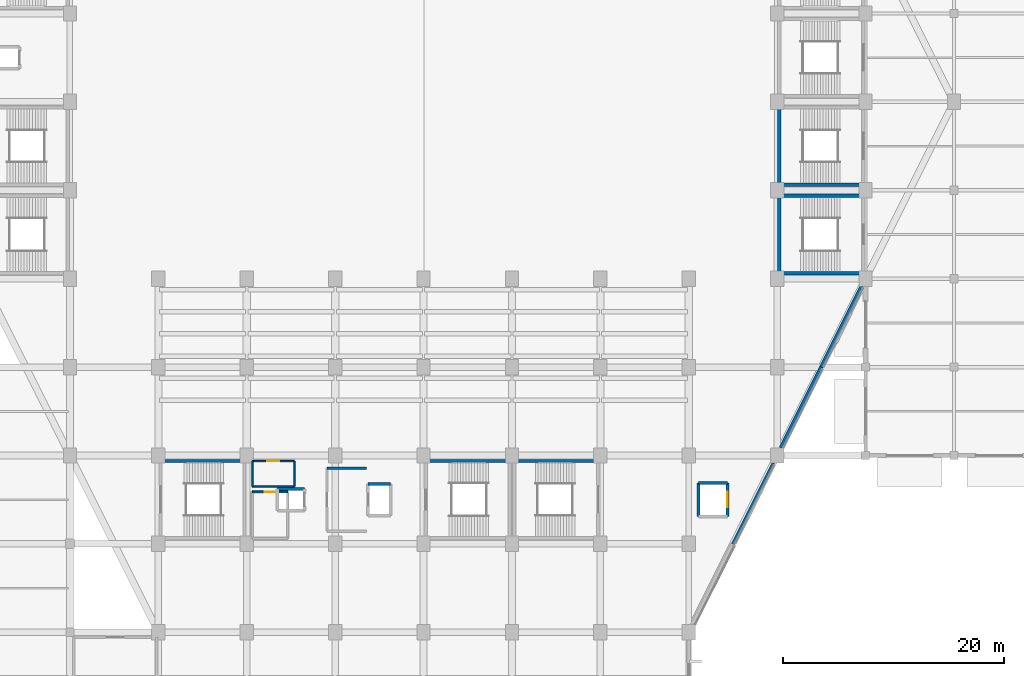
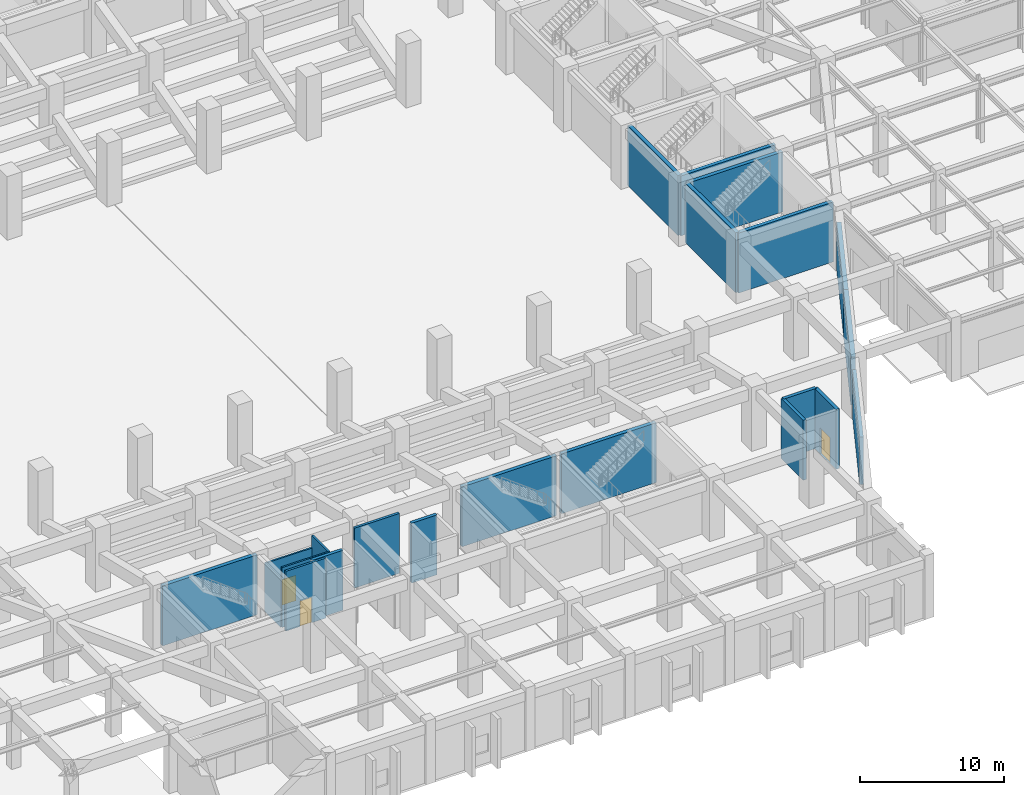
# One storey, part 25 of 39: 22 walls, 3 doors, 3 openings.
"""IFC4 building model written with IfcOpenShell, lengths in metres."""

import ifcopenshell
import ifcopenshell.guid

model = None  # the IFC model being written
_history = None  # IfcOwnerHistory: only IFC2X3 demands one
_inside = {}  # id of a spatial element -> (the spatial element, [elements in it])
_under = {}  # id of a project, library or spatial element -> (it, [spatial elements below it])
_declared = {}  # id of a project -> (the project, [libraries it declares])
_typed = {}  # id of a type object -> (the type object, [elements of that type])
_made_of = {}  # id of a material, layer set ... -> (it, [elements and type objects made of it])


def new_model(schema):
    """Start an empty IFC model of exactly this schema.

    Asked for "IFC4X3", IfcOpenShell would pick the latest addendum, in which some entities
    have other attributes; the version numbers below select the first issue.
    IFC2X3 requires an IfcOwnerHistory on every rooted entity: one is made here for all.
    """
    global model, _history
    if schema == "IFC4X3":
        model = ifcopenshell.file(schema_version=(4, 3, 0, 0))
    else:
        model = ifcopenshell.file(schema=schema)
    _inside.clear()
    _under.clear()
    _declared.clear()
    _typed.clear()
    _made_of.clear()
    _history = None
    if model.schema == "IFC2X3":
        org = make("IfcOrganization", Name="unknown")
        user = make(
            "IfcPersonAndOrganization",
            ThePerson=make("IfcPerson", FamilyName="unknown"),
            TheOrganization=org,
        )
        app = make(
            "IfcApplication",
            ApplicationDeveloper=org,
            Version="unknown",
            ApplicationFullName="unknown",
            ApplicationIdentifier="unknown",
        )
        _history = make(
            "IfcOwnerHistory",
            OwningUser=user,
            OwningApplication=app,
            ChangeAction="ADDED",
            CreationDate=0,
        )
    return model


def make(cls, **values):
    """One entity of the class cls with the attributes given. An attribute that is None is left unset."""
    return model.create_entity(
        cls, **{name: value for name, value in values.items() if value is not None}
    )


def rooted(cls, **values):
    """An entity with a GlobalId (a new one), such as an element, a storey or a relation."""
    return make(cls, GlobalId=ifcopenshell.guid.new(), OwnerHistory=_history, **values)


def si_unit(unit_type, name, prefix=None):
    """IfcSIUnit, for example si_unit("LENGTHUNIT", "METRE", prefix="MILLI")."""
    return make("IfcSIUnit", UnitType=unit_type, Prefix=prefix, Name=name)


def assignment(units):
    """IfcUnitAssignment: the units of a project."""
    return None if units is None else make("IfcUnitAssignment", Units=units)


def point(xyz):
    """IfcCartesianPoint."""
    return None if xyz is None else make("IfcCartesianPoint", Coordinates=xyz)


def direction(xyz):
    """IfcDirection."""
    return None if xyz is None else make("IfcDirection", DirectionRatios=xyz)


def frame(location, z_axis=None, x_axis=None):
    """IfcAxis2Placement3D, a coordinate frame: its origin and axes. An axis left out is left unset."""
    return make(
        "IfcAxis2Placement3D",
        Location=point(location),
        Axis=direction(z_axis),
        RefDirection=direction(x_axis),
    )


def frame_2d(location, x_axis=None):
    """IfcAxis2Placement2D, a coordinate frame in the plane: its origin and x axis."""
    return make(
        "IfcAxis2Placement2D", Location=point(location), RefDirection=direction(x_axis)
    )


def origin():
    """The frame at (0, 0, 0) with its axes left unset."""
    return frame((0.0, 0.0, 0.0))


def place(relative_to, where):
    """IfcLocalPlacement: puts the frame where relative to a parent placement (None: the world)."""
    return make(
        "IfcLocalPlacement", PlacementRelTo=relative_to, RelativePlacement=where
    )


def context(
    kind, dimensions, precision=None, world=None, true_north=None, identifier=None
):
    """IfcGeometricRepresentationContext, for example the 3D "Model" context."""
    return make(
        "IfcGeometricRepresentationContext",
        ContextIdentifier=identifier,
        ContextType=kind,
        CoordinateSpaceDimension=dimensions,
        Precision=precision,
        WorldCoordinateSystem=world,
        TrueNorth=true_north,
    )


def subcontext(parent, identifier, kind, view, scale=None):
    """IfcGeometricRepresentationSubContext, for example "Body" below "Model"."""
    return make(
        "IfcGeometricRepresentationSubContext",
        ContextIdentifier=identifier,
        ContextType=kind,
        ParentContext=parent,
        TargetScale=scale,
        TargetView=view,
    )


def project(units=None, contexts=None):
    """IfcProject with its units and contexts."""
    return rooted(
        "IfcProject",
        Name="project",
        RepresentationContexts=contexts,
        UnitsInContext=assignment(units),
    )


def spatial(cls, under=None, at=None, **own):
    """A site, building, storey or space (cls), placed at a placement, below another one or the project."""
    s = rooted(cls, ObjectPlacement=at, **own)
    if under is not None:
        _under.setdefault(under.id(), (under, []))[1].append(s)
    return s


def profile(cls, at=None, kind="AREA", **sizes):
    """A parametric profile (cls). Its sizes go by their IFC names, for example OverallWidth=200.0."""
    return make(cls, ProfileType=kind, Position=at, **sizes)


def rectangle(**sizes):
    """IfcRectangleProfileDef."""
    return profile("IfcRectangleProfileDef", **sizes)


def extrude(swept, where, along, depth):
    """IfcExtrudedAreaSolid: the profile swept, set in the frame where, extruded along a direction by depth."""
    return make(
        "IfcExtrudedAreaSolid",
        SweptArea=swept,
        Position=where,
        ExtrudedDirection=direction(along),
        Depth=depth,
    )


def shape(context_of_items, identifier, shape_type, items):
    """IfcShapeRepresentation: the items that make up one representation, for example the "Body"."""
    return make(
        "IfcShapeRepresentation",
        ContextOfItems=context_of_items,
        RepresentationIdentifier=identifier,
        RepresentationType=shape_type,
        Items=items,
    )


def material(Name=None, Category=None):
    """IfcMaterial."""
    return make("IfcMaterial", Name=Name, Category=Category)


def layer(
    of_material, thickness, ventilated=None, Name=None, Category=None, Priority=None
):
    """IfcMaterialLayer: one layer of a wall or slab, of a material (None: an air gap)."""
    return make(
        "IfcMaterialLayer",
        Material=of_material,
        LayerThickness=thickness,
        IsVentilated=ventilated,
        Name=Name,
        Category=Category,
        Priority=Priority,
    )


def layer_set(layers, Name=None):
    """IfcMaterialLayerSet."""
    return make("IfcMaterialLayerSet", MaterialLayers=layers, LayerSetName=Name)


def made_of(thing, what):
    """Note that an element or type object is made of a material, layer set ...; save() writes the relation."""
    if what is not None:
        _made_of.setdefault(what.id(), (what, []))[1].append(thing)
    return thing


def type_object(cls, material=None, **own):
    """A type object (cls), such as IfcWallType, which elements share."""
    return made_of(rooted(cls, **own), material)


def element(
    cls,
    number,
    at=None,
    inside=None,
    cuts=None,
    type_object=None,
    material=None,
    context=None,
    identifier="Body",
    shape_type=None,
    held_by="IfcProductDefinitionShape",
    body=None,
    shapes=None,
    **own,
):
    """One element of the class cls, such as IfcWall. Its Tag is "e" and its number.

    at: its placement. inside: the storey or other place that contains it. cuts: it is an
    opening in that element (IfcRelVoidsElement). A single representation is given by context,
    identifier, shape_type and body (its items); several are given by shapes. held_by: the class
    of the entity that holds the representations. save() writes the other relations.
    """
    e = rooted(cls, Tag="e%d" % number, ObjectPlacement=at, **own)
    if body is not None:
        shapes = [shape(context, identifier, shape_type, body)]
    if shapes is not None:
        e.Representation = make(held_by, Representations=shapes)
    if inside is not None:
        _inside.setdefault(inside.id(), (inside, []))[1].append(e)
    if cuts is not None:
        rooted(
            "IfcRelVoidsElement", RelatingBuildingElement=cuts, RelatedOpeningElement=e
        )
    if type_object is not None:
        _typed.setdefault(type_object.id(), (type_object, []))[1].append(e)
    return made_of(e, material)


def fill(opening, filler):
    """IfcRelFillsElement: the door or window that sits in an opening."""
    return rooted(
        "IfcRelFillsElement",
        RelatingOpeningElement=opening,
        RelatedBuildingElement=filler,
    )


def aggregate(whole, parts):
    """IfcRelAggregates: a whole, such as a stair, and the parts it consists of."""
    return rooted("IfcRelAggregates", RelatingObject=whole, RelatedObjects=parts)


def save(model, path):
    """Write the relations noted so far, then the file.

    IfcRelAggregates (storeys below a building ...), IfcRelContainedInSpatialStructure (elements
    in a storey), IfcRelDefinesByType, IfcRelAssociatesMaterial and IfcRelDeclares: one each for
    every whole, place, type object, material and project.
    """
    for whole, parts in _under.values():
        aggregate(whole, parts)
    for where, things in _inside.values():
        rooted(
            "IfcRelContainedInSpatialStructure",
            RelatedElements=things,
            RelatingStructure=where,
        )
    for kind, things in _typed.values():
        rooted("IfcRelDefinesByType", RelatedObjects=things, RelatingType=kind)
    for what, things in _made_of.values():
        rooted("IfcRelAssociatesMaterial", RelatedObjects=things, RelatingMaterial=what)
    for by, libraries in _declared.values():
        rooted("IfcRelDeclares", RelatingContext=by, RelatedDefinitions=libraries)
    model.write(path)


model = new_model("IFC4")

# Units and contexts
model_context = context("Model", 3, precision=1e-05, world=origin(), true_north=direction((0.0, 1.0)))
body_context = subcontext(model_context, "Body", "Model", "MODEL_VIEW")
ifc_project = project(units=[si_unit("LENGTHUNIT", "METRE"), si_unit("AREAUNIT", "SQUARE_METRE"), si_unit("VOLUMEUNIT", "CUBIC_METRE"), si_unit("PLANEANGLEUNIT", "RADIAN"), si_unit("MASSUNIT", "GRAM", prefix="KILO")], contexts=[model_context])

# Site, building, storey
site_placement = place(None, origin())
site = spatial("IfcSite", under=ifc_project, at=site_placement, CompositionType="ELEMENT")
building_placement = place(site_placement, origin())
building = spatial("IfcBuilding", under=site, at=building_placement, Name="Tazarka Park Arena", CompositionType="ELEMENT")
storey_placement = place(building_placement, origin())
storey = spatial("IfcBuildingStorey", under=building, at=storey_placement, Name="L00", CompositionType="ELEMENT", Elevation=0.0)

# Walls
ifc_material_1 = material(Name="Concrete C40/50", Category="concrete")
ifc_layer_1 = layer(ifc_material_1, 0.300048828125, Name="Concrete C40/50")
ifc_layer_set_1 = layer_set([ifc_layer_1], Name="Concrete C40/50")
wall_type_1 = type_object("IfcWallType", Name="IWAL-CW-S1", PredefinedType="SHEAR", material=ifc_layer_set_1)
for number, where, z_axis, x_axis, name in (
    (1, (64.199951171875, 31.5, 0.0), (0.0, 0.0, 1.0), (1.0, 0.0, 0.0), "SCW-L00-ST09-N"),
    (2, (96.199951171875, 31.5, 0.0), (0.0, 0.0, 1.0), (1.0, 0.0, 0.0), "SCW-L00-ST11-N"),
    (3, (127.800048828125, 56.5, 0.0), (0.0, 0.0, 1.0), (-1.0, 0.0, 0.0), "SCW-L00-ST12-S"),
):
    element("IfcWall", number, at=place(storey_placement, frame(where, z_axis=z_axis, x_axis=x_axis)), inside=storey, type_object=wall_type_1, Name=name, PredefinedType="SHEAR", context=body_context, shape_type="SweptSolid", body=[
        extrude(rectangle(XDim=7.60009765625, YDim=0.300048828125, at=frame_2d((3.800048828125, 0.0))), origin(), (0.0, 0.0, 1.0), 5.080078125),
    ])
wall_1_placement = place(storey_placement, frame((120.199951171875, 56.5, 0.0), z_axis=(0.0, 0.0, 1.0), x_axis=(0.0, 1.0, 0.0)))
element("IfcWall", 4, at=wall_1_placement, inside=storey, type_object=wall_type_1, Name="SCW-L00-ST12-W", PredefinedType="SHEAR", context=body_context, shape_type="SweptSolid", body=[
    extrude(rectangle(XDim=7.0, YDim=0.300048828125, at=frame_2d((3.5, 0.0))), origin(), (0.0, 0.0, 1.0), 5.080078125),
])
wall_2_placement = place(storey_placement, frame((127.800048828125, 48.5, 0.0), z_axis=(0.0, 0.0, 1.0), x_axis=(-1.0, 0.0, 0.0)))
element("IfcWall", 5, at=wall_2_placement, inside=storey, type_object=wall_type_1, Name="SCW-L00-ST21-S", PredefinedType="SHEAR", context=body_context, shape_type="SweptSolid", body=[
    extrude(rectangle(XDim=7.60009765625, YDim=0.300048828125, at=frame_2d((3.800048828125, 0.0))), origin(), (0.0, 0.0, 1.0), 5.080078125),
])
wall_3_placement = place(storey_placement, frame((120.199951171875, 48.5, 0.0), z_axis=(0.0, 0.0, 1.0), x_axis=(0.0, 1.0, 0.0)))
element("IfcWall", 6, at=wall_3_placement, inside=storey, type_object=wall_type_1, Name="SCW-L00-ST21-W", PredefinedType="SHEAR", context=body_context, shape_type="SweptSolid", body=[
    extrude(rectangle(XDim=7.0, YDim=0.300048828125, at=frame_2d((3.5, 0.0))), origin(), (0.0, 0.0, 1.0), 5.080078125),
])
for number, where, z_axis, x_axis, name in (
    (7, (120.199951171875, 55.5, 0.0), (0.0, 0.0, 1.0), (1.0, 0.0, 0.0), "SCW-L00-ST21-N"),
    (8, (88.199951171875, 31.5, 0.0), (0.0, 0.0, 1.0), (1.0, 0.0, 0.0), "SCW-L00-ST23-N"),
):
    element("IfcWall", number, at=place(storey_placement, frame(where, z_axis=z_axis, x_axis=x_axis)), inside=storey, type_object=wall_type_1, Name=name, PredefinedType="SHEAR", context=body_context, shape_type="SweptSolid", body=[
        extrude(rectangle(XDim=7.60009765625, YDim=0.300048828125, at=frame_2d((3.800048828125, 0.0))), origin(), (0.0, 0.0, 1.0), 5.080078125),
    ])
ifc_material_2 = material(Name="Concrete C40/50", Category="concrete")
ifc_layer_2 = layer(ifc_material_2, 0.260009765625, Name="Concrete C40/50")
ifc_layer_set_2 = layer_set([ifc_layer_2], Name="Concrete C40/50")
wall_type_2 = type_object("IfcWallType", Name="IWAL-CW-S3", PredefinedType="SHEAR", material=ifc_layer_set_2)
wall_4_placement = place(storey_placement, frame((82.97998046875, 29.419921875, 0.0), z_axis=(0.0, 0.0, 1.0), x_axis=(1.0, 0.0, 0.0)))
element("IfcWall", 9, at=wall_4_placement, inside=storey, type_object=wall_type_2, Name="LSW-L00-LF-04-N", PredefinedType="SHEAR", context=body_context, shape_type="SweptSolid", body=[
    extrude(rectangle(XDim=2.0400390625, YDim=0.260009765625, at=frame_2d((1.02001953125, 0.0))), origin(), (0.0, 0.0, 1.0), 5.080078125),
])
wall_5_placement = place(storey_placement, frame((74.780029296875, 28.969970703125, 0.0), z_axis=(0.0, 0.0, 1.0), x_axis=(1.0, 0.0, 0.0)))
element("IfcWall", 10, at=wall_5_placement, inside=storey, type_object=wall_type_2, Name="LSW-L00-LF-08-N", PredefinedType="SHEAR", context=body_context, shape_type="SweptSolid", body=[
    extrude(rectangle(XDim=2.43994140625, YDim=0.260009765625, at=frame_2d((1.219970703125, 0.0))), origin(), (0.0, 0.0, 1.0), 5.080078125),
])
wall_6_placement = place(storey_placement, frame((112.8798828125, 26.47998046875, 0.0), z_axis=(0.0, 0.0, 1.0), x_axis=(0.0, 1.0, 0.0)))
element("IfcWall", 11, at=wall_6_placement, inside=storey, type_object=wall_type_2, Name="LSW-L00-LF-11-W", PredefinedType="SHEAR", context=body_context, shape_type="SweptSolid", body=[
    extrude(rectangle(XDim=3.0400390625, YDim=0.260009765625, at=frame_2d((1.52001953125, 0.0))), origin(), (0.0, 0.0, 1.0), 5.080078125),
])
wall_7_placement = place(storey_placement, frame((112.8798828125, 29.52001953125, 0.0), z_axis=(0.0, 0.0, 1.0), x_axis=(1.0, 0.0, 0.0)))
element("IfcWall", 12, at=wall_7_placement, inside=storey, type_object=wall_type_2, Name="LSW-L00-LF-11-N", PredefinedType="SHEAR", context=body_context, shape_type="SweptSolid", body=[
    extrude(rectangle(XDim=2.64013671875, YDim=0.260009765625, at=frame_2d((1.320068359375, 0.0))), origin(), (0.0, 0.0, 1.0), 5.080078125),
])

# Wall, opening, door
wall_8_placement = place(storey_placement, frame((115.52001953125, 29.52001953125, 0.0), z_axis=(0.0, 0.0, 1.0), x_axis=(0.0, -1.0, 0.0)))
wall_8 = element("IfcWall", 13, at=wall_8_placement, inside=storey, type_object=wall_type_2, Name="LSW-L00-LF-11-E", PredefinedType="SHEAR", context=body_context, shape_type="SweptSolid", body=[
    extrude(rectangle(XDim=3.0400390625, YDim=0.260009765625, at=frame_2d((1.52001953125, 0.0))), origin(), (0.0, 0.0, 1.0), 5.080078125),
])
opening_1_placement = place(wall_8_placement, frame((0.820068359375, 0.0, 0.0)))
opening_1 = element("IfcOpeningElement", 14, at=opening_1_placement, cuts=wall_8, Name="Opening LD-03", PredefinedType="OPENING", context=body_context, shape_type="SweptSolid", body=[
    extrude(rectangle(XDim=1.39990234375, YDim=2.199951171875, at=frame_2d((0.699951171875, 1.10009765625))), frame((0.0, 0.14013671875, 0.0), z_axis=(0.0, -1.0, 0.0), x_axis=(1.0, 0.0, 0.0)), (0.0, 0.0, 1.0), 0.280029296875),
])
ifc_material_3 = material(Name="Fire-rated powder-coated steel and acoustic timber", Category="steel")
door_type_1 = type_object("IfcDoorType", Name="IDR-LD-03", OperationType="NOTDEFINED", PredefinedType="DOOR", material=ifc_material_3)
door_1_placement = place(opening_1_placement, origin())
door_1 = element("IfcDoor", 15, at=door_1_placement, inside=storey, type_object=door_type_1, Name="Lift Landing Door LF-11-L00", OperationType="SLIDING_TO_LEFT", OverallHeight=2.199951171875, OverallWidth=1.39990234375, PredefinedType="DOOR", context=body_context, shape_type="SweptSolid", body=[
    extrude(rectangle(XDim=1.39990234375, YDim=2.199951171875, at=frame_2d((0.699951171875, 1.10009765625))), frame((0.0, 0.02490234375, 0.0), z_axis=(0.0, -1.0, 0.0), x_axis=(1.0, 0.0, 0.0)), (0.0, 0.0, 1.0), 0.050048828125),
])
fill(opening_1, door_1)

# Walls
ifc_material_4 = material(Name="Reinforced masonry compartment wall", Category="masonry")
ifc_layer_3 = layer(ifc_material_4, 0.199951171875, Name="Reinforced masonry compartment wall")
ifc_layer_set_3 = layer_set([ifc_layer_3], Name="Reinforced masonry compartment wall")
wall_type_3 = type_object("IfcWallType", Name="IWAL-PT-04", PredefinedType="PARTITIONING", material=ifc_layer_set_3)
wall_9_placement = place(storey_placement, frame((79.25, 30.85009765625, 0.0), z_axis=(0.0, 0.0, 1.0), x_axis=(1.0, 0.0, 0.0)))
element("IfcWall", 16, at=wall_9_placement, inside=storey, type_object=wall_type_3, Name="FFW-L00-LF-04-N", PredefinedType="PARTITIONING", context=body_context, shape_type="SweptSolid", body=[
    extrude(rectangle(XDim=3.60009765625, YDim=0.199951171875, at=frame_2d((1.800048828125, 0.0))), origin(), (0.0, 0.0, 1.0), 5.080078125),
])
ifc_material_5 = material(Name="Acoustic gypsum stud partition")
ifc_layer_4 = layer(ifc_material_5, 0.135009765625, Name="Acoustic gypsum stud partition")
ifc_layer_set_4 = layer_set([ifc_layer_4], Name="Acoustic gypsum stud partition")
wall_type_4 = type_object("IfcWallType", Name="IWAL-PT-10", PredefinedType="PARTITIONING", material=ifc_layer_set_4)
wall_10_placement = place(storey_placement, frame((72.5, 29.199951171875, 0.0), z_axis=(0.0, 0.0, 1.0), x_axis=(1.0, 0.0, 0.0)))
element("IfcWall", 17, at=wall_10_placement, inside=storey, type_object=wall_type_4, Name="WCE-L00-041", PredefinedType="PARTITIONING", context=body_context, shape_type="SweptSolid", body=[
    extrude(rectangle(XDim=3.800048828125, YDim=0.135009765625, at=frame_2d((1.89990234375, 0.0))), origin(), (0.0, 0.0, 1.0), 5.080078125),
])
wall_11_placement = place(storey_placement, frame((76.300048828125, 29.199951171875, 0.0), z_axis=(0.0, 0.0, 1.0), x_axis=(0.0, 1.0, 0.0)))
element("IfcWall", 18, at=wall_11_placement, inside=storey, type_object=wall_type_4, Name="WCE-L00-042", PredefinedType="PARTITIONING", context=body_context, shape_type="SweptSolid", body=[
    extrude(rectangle(XDim=2.300048828125, YDim=0.135009765625, at=frame_2d((1.14990234375, 0.0))), origin(), (0.0, 0.0, 1.0), 5.080078125),
])

# Wall, opening, door
wall_12_placement = place(storey_placement, frame((76.300048828125, 31.5, 0.0), z_axis=(0.0, 0.0, 1.0), x_axis=(-1.0, 0.0, 0.0)))
wall_12 = element("IfcWall", 19, at=wall_12_placement, inside=storey, type_object=wall_type_4, Name="WCE-L00-043", PredefinedType="PARTITIONING", context=body_context, shape_type="SweptSolid", body=[
    extrude(rectangle(XDim=3.800048828125, YDim=0.135009765625, at=frame_2d((1.89990234375, 0.0))), origin(), (0.0, 0.0, 1.0), 4.050048828125),
])
opening_2_placement = place(wall_12_placement, frame((1.35009765625, 0.0, 0.0)))
opening_2 = element("IfcOpeningElement", 20, at=opening_2_placement, cuts=wall_12, Name="Opening ID-02", PredefinedType="OPENING", context=body_context, shape_type="SweptSolid", body=[
    extrude(rectangle(XDim=1.10009765625, YDim=2.14990234375, at=frame_2d((0.550048828125, 1.074951171875))), frame((0.0, 0.07763671875, 0.0), z_axis=(0.0, -1.0, 0.0), x_axis=(1.0, 0.0, 0.0)), (0.0, 0.0, 1.0), 0.155029296875),
])
ifc_material_6 = material(Name="Fire-rated powder-coated steel and acoustic timber", Category="steel")
door_type_2 = type_object("IfcDoorType", Name="IDR-ID-02", OperationType="NOTDEFINED", PredefinedType="DOOR", material=ifc_material_6)
door_2_placement = place(opening_2_placement, origin())
door_2 = element("IfcDoor", 21, at=door_2_placement, inside=storey, type_object=door_type_2, Name="Room Door Accessible WC South 2", OperationType="SINGLE_SWING_LEFT", OverallHeight=2.14990234375, OverallWidth=1.10009765625, PredefinedType="DOOR", context=body_context, shape_type="SweptSolid", body=[
    extrude(rectangle(XDim=1.10009765625, YDim=2.14990234375, at=frame_2d((0.550048828125, 1.074951171875))), frame((0.0, 0.02490234375, 0.0), z_axis=(0.0, -1.0, 0.0), x_axis=(1.0, 0.0, 0.0)), (0.0, 0.0, 1.0), 0.050048828125),
])
fill(opening_2, door_2)

# Wall
wall_13_placement = place(storey_placement, frame((72.5, 31.5, 0.0), z_axis=(0.0, 0.0, 1.0), x_axis=(0.0, -1.0, 0.0)))
element("IfcWall", 22, at=wall_13_placement, inside=storey, type_object=wall_type_4, Name="WCE-L00-044", PredefinedType="PARTITIONING", context=body_context, shape_type="SweptSolid", body=[
    extrude(rectangle(XDim=2.300048828125, YDim=0.135009765625, at=frame_2d((1.14990234375, 0.0))), origin(), (0.0, 0.0, 1.0), 4.050048828125),
])

# Wall, opening, door
ifc_material_7 = material(Name="Wet-zone tiled blockwork wall", Category="masonry")
ifc_layer_5 = layer(ifc_material_7, 0.175048828125, Name="Wet-zone tiled blockwork wall")
ifc_layer_set_5 = layer_set([ifc_layer_5], Name="Wet-zone tiled blockwork wall")
wall_type_5 = type_object("IfcWallType", Name="IWAL-PT-18", PredefinedType="PARTITIONING", material=ifc_layer_set_5)
wall_14_placement = place(storey_placement, frame((75.699951171875, 28.699951171875, 0.0), z_axis=(0.0, 0.0, 1.0), x_axis=(-1.0, 0.0, 0.0)))
wall_14 = element("IfcWall", 23, at=wall_14_placement, inside=storey, type_object=wall_type_5, Name="WCE-L00-039", PredefinedType="PARTITIONING", context=body_context, shape_type="SweptSolid", body=[
    extrude(rectangle(XDim=3.199951171875, YDim=0.175048828125, at=frame_2d((1.60009765625, 0.0))), origin(), (0.0, 0.0, 1.0), 5.080078125),
])
opening_3_placement = place(wall_14_placement, frame((1.125, 0.0, 0.0)))
opening_3 = element("IfcOpeningElement", 24, at=opening_3_placement, cuts=wall_14, Name="Opening ID-09", PredefinedType="OPENING", context=body_context, shape_type="SweptSolid", body=[
    extrude(rectangle(XDim=0.949951171875, YDim=2.14990234375, at=frame_2d((0.47509765625, 1.074951171875))), frame((0.0, 0.09765625, 0.0), z_axis=(0.0, -1.0, 0.0), x_axis=(1.0, 0.0, 0.0)), (0.0, 0.0, 1.0), 0.195068359375),
])
ifc_material_8 = material(Name="Fire-rated powder-coated steel and acoustic timber", Category="steel")
door_type_3 = type_object("IfcDoorType", Name="IDR-ID-09", OperationType="NOTDEFINED", PredefinedType="DOOR", material=ifc_material_8)
door_3_placement = place(opening_3_placement, origin())
door_3 = element("IfcDoor", 25, at=door_3_placement, inside=storey, type_object=door_type_3, Name="Room Door Public Male WC South 2", OperationType="SINGLE_SWING_RIGHT", OverallHeight=2.14990234375, OverallWidth=0.949951171875, PredefinedType="DOOR", context=body_context, shape_type="SweptSolid", body=[
    extrude(rectangle(XDim=0.949951171875, YDim=2.14990234375, at=frame_2d((0.47509765625, 1.074951171875))), frame((0.0, 0.02490234375, 0.0), z_axis=(0.0, -1.0, 0.0), x_axis=(1.0, 0.0, 0.0)), (0.0, 0.0, 1.0), 0.050048828125),
])
fill(opening_3, door_3)

# Walls
ifc_material_9 = material(Name="Concrete C40/50", Category="concrete")
ifc_layer_6 = layer(ifc_material_9, 0.330078125, Name="Concrete C40/50")
ifc_layer_set_6 = layer_set([ifc_layer_6], Name="Concrete C40/50")
wall_type_6 = type_object("IfcWallType", Name="WAL-EW-09", PredefinedType="SOLIDWALL", material=ifc_layer_set_6)
wall_15_placement = place(storey_placement, frame((127.659912109375, 47.320068359375, 0.0), z_axis=(0.0, 0.0, 1.0), x_axis=(-0.447201662923, -0.894433157189, 0.0)))
element("IfcWall", 26, at=wall_15_placement, inside=storey, type_object=wall_type_6, Name="EW-L00-0152", PredefinedType="SOLIDWALL", context=body_context, shape_type="SweptSolid", body=[
    extrude(rectangle(XDim=8.18408203125, YDim=0.330078125, at=frame_2d((4.092041015625, 0.0))), origin(), (0.0, 0.0, 1.0), 4.050048828125),
])
ifc_material_10 = material(Name="Concrete C40/50", Category="concrete")
ifc_layer_7 = layer(ifc_material_10, 0.35009765625, Name="Concrete C40/50")
ifc_layer_set_7 = layer_set([ifc_layer_7], Name="Concrete C40/50")
wall_type_7 = type_object("IfcWallType", Name="WAL-EW-10", PredefinedType="SOLIDWALL", material=ifc_layer_set_7)
wall_16_placement = place(storey_placement, frame((124.0, 40.0, 0.0), z_axis=(0.0, 0.0, 1.0), x_axis=(-0.447201662923, -0.894433157189, 0.0)))
element("IfcWall", 27, at=wall_16_placement, inside=storey, type_object=wall_type_7, Name="EW-L00-0153", PredefinedType="SOLIDWALL", context=body_context, shape_type="SweptSolid", body=[
    extrude(rectangle(XDim=8.18408203125, YDim=0.35009765625, at=frame_2d((4.092041015625, 0.0))), origin(), (0.0, 0.0, 1.0), 4.050048828125),
])
ifc_material_11 = material(Name="Precast concrete C40/50", Category="concrete")
ifc_layer_8 = layer(ifc_material_11, 0.27001953125, Name="Precast concrete C40/50")
ifc_layer_set_8 = layer_set([ifc_layer_8], Name="Precast concrete C40/50")
wall_type_8 = type_object("IfcWallType", Name="WAL-EW-11", PredefinedType="SOLIDWALL", material=ifc_layer_set_8)
wall_17_placement = place(storey_placement, frame((119.659912109375, 31.320068359375, 0.0), z_axis=(0.0, 0.0, 1.0), x_axis=(-0.447201662923, -0.894433157189, 0.0)))
element("IfcWall", 28, at=wall_17_placement, inside=storey, type_object=wall_type_8, Name="EW-L00-0154", PredefinedType="SOLIDWALL", context=body_context, shape_type="SweptSolid", body=[
    extrude(rectangle(XDim=8.18408203125, YDim=0.27001953125, at=frame_2d((4.092041015625, 0.0))), origin(), (0.0, 0.0, 1.0), 4.050048828125),
])

save(model, "model.ifc")
